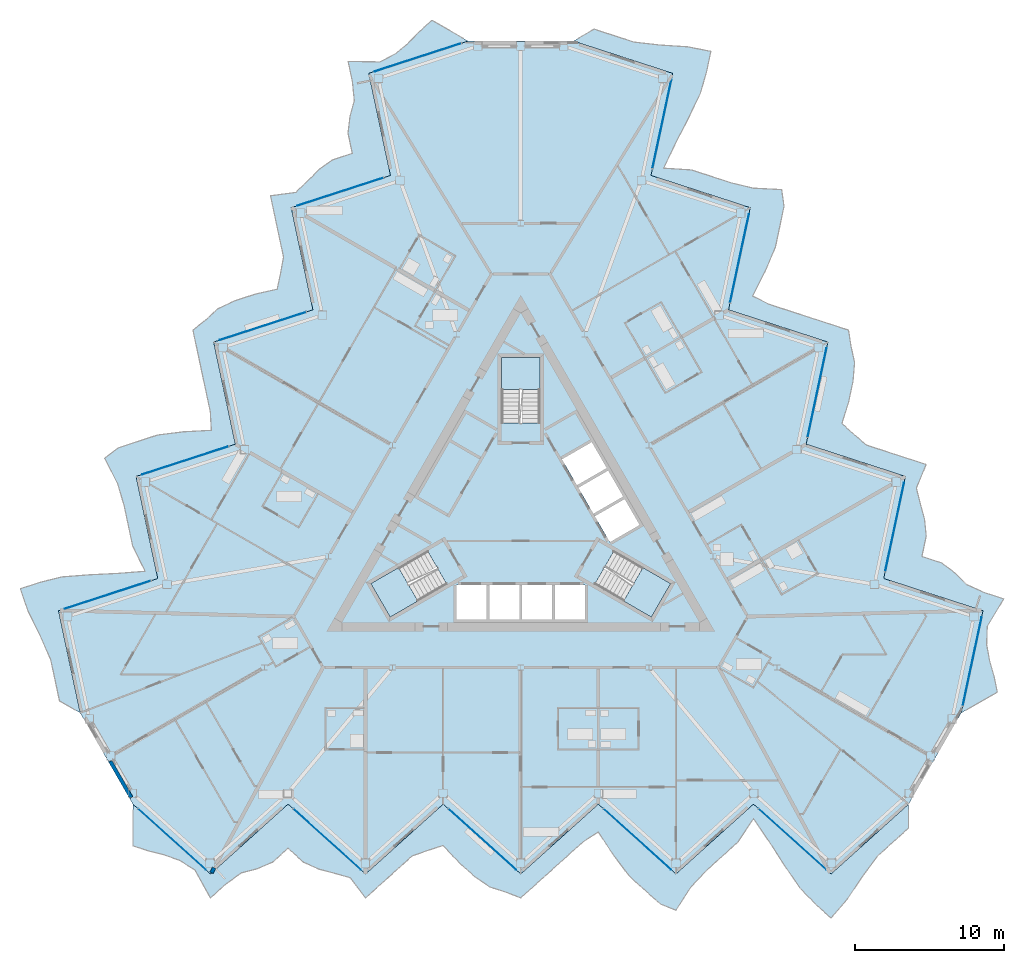
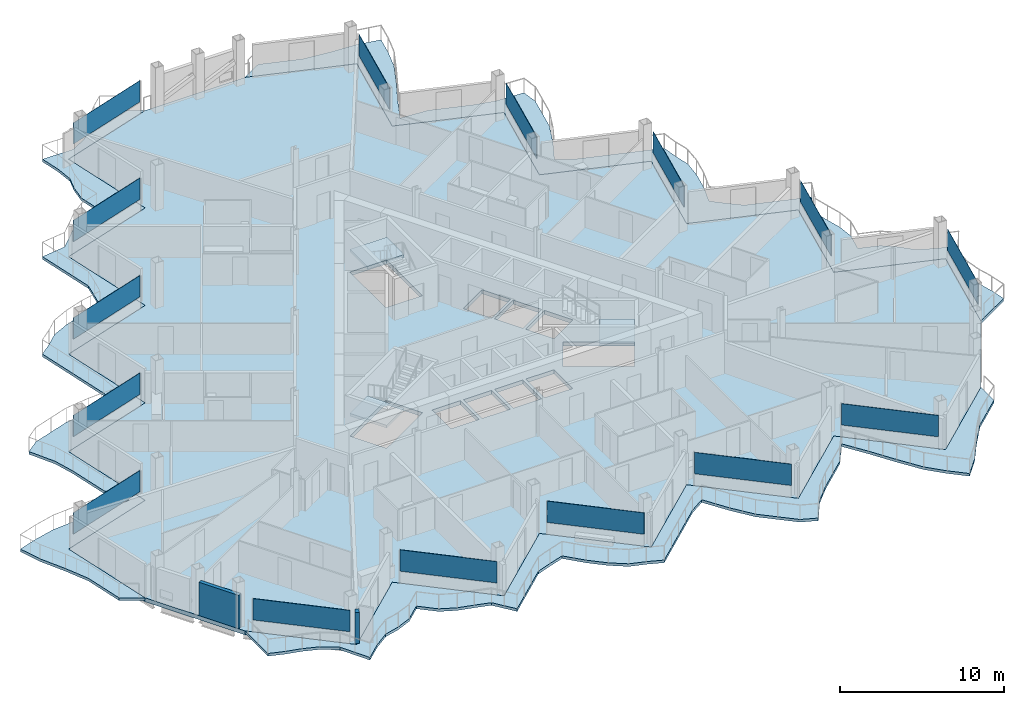
# One storey, part 12 of 28: 15 plates, 7 slabs, 2 walls, 18 elements without a shape of their own.
"""IFC4 building model written with IfcOpenShell, lengths in metres."""

from ifc_helpers import new_model, si_unit, direction, frame, frame_2d, origin, origin_2d, place, context, subcontext, project, spatial, polyline, rectangle, outline, extrude, material, layer, layer_set, type_object, element, aggregate, save


model = new_model("IFC4")

# Units and contexts
model_context = context("Model", 3, precision=1e-05, world=origin(), true_north=direction((0.0, 1.0)))
body_context = subcontext(model_context, "Body", "Model", "MODEL_VIEW")
ifc_project = project(units=[si_unit("LENGTHUNIT", "METRE"), si_unit("AREAUNIT", "SQUARE_METRE"), si_unit("VOLUMEUNIT", "CUBIC_METRE"), si_unit("PLANEANGLEUNIT", "RADIAN"), si_unit("MASSUNIT", "GRAM", prefix="KILO")], contexts=[model_context])

# Site, building, storey
site_placement = place(None, origin())
site = spatial("IfcSite", under=ifc_project, at=site_placement, CompositionType="ELEMENT")
building_placement = place(site_placement, origin())
building = spatial("IfcBuilding", under=site, at=building_placement, Name="Cormorant Prow Tower", CompositionType="ELEMENT")
storey_placement = place(building_placement, frame((0.0, 0.0, 305.199951171875)))
storey = spatial("IfcBuildingStorey", under=building, at=storey_placement, Name="L66", CompositionType="ELEMENT", Elevation=305.199951171875)

# Slabs
ifc_material_1 = material(Name="Concrete C40/50", Category="concrete")
ifc_layer_1 = layer(ifc_material_1, 0.199951171875)
ifc_layer_set_1 = layer_set([ifc_layer_1], Name="Concrete C40/50")
slab_type_1 = type_object("IfcSlabType", Name="Balcony slab 200", PredefinedType="FLOOR", material=ifc_layer_set_1)
slab_1_placement = place(storey_placement, frame((0.0, 0.0, -0.199951171875)))
element("IfcSlab", 1, at=slab_1_placement, inside=storey, type_object=slab_type_1, Name="Balcony slab S L66", PredefinedType="FLOOR", context=body_context, shape_type="SweptSolid", body=[
    extrude(outline(polyline([(-25.95458984375, -19.054931640625), (-25.95458984375, -21.8388671875), (-24.91650390625, -22.182861328125), (-23.87841796875, -22.441162109375), (-22.840087890625, -22.811767578125), (-21.802001953125, -23.46044921875), (-20.763671875, -25.328857421875), (-19.7255859375, -24.39404296875), (-18.6875, -23.651123046875), (-17.649169921875, -23.381591796875), (-16.611083984375, -22.939697265625), (-15.57275390625, -22.0048828125), (-14.53466796875, -22.939697265625), (-13.496337890625, -23.40771484375), (-12.458251953125, -23.68017578125), (-11.420166015625, -23.97607421875), (-10.3818359375, -25.328857421875), (-9.34375, -24.39404296875), (-8.305419921875, -23.459228515625), (-7.267333984375, -22.5244140625), (-6.229248046875, -22.154541015625), (-5.19091796875, -21.81787109375), (-4.15283203125, -22.939697265625), (-3.114501953125, -23.87451171875), (-2.076416015625, -24.596435546875), (-1.0380859375, -24.92431640625), (0.0, -25.328857421875), (1.0380859375, -24.39404296875), (2.076416015625, -23.459228515625), (3.114501953125, -22.5244140625), (4.15283203125, -21.58984375), (5.19091796875, -20.9111328125), (6.229248046875, -22.503662109375), (7.267333984375, -23.87451171875), (8.305419921875, -24.809326171875), (9.34375, -25.73388671875), (10.3818359375, -26.154052734375), (11.420166015625, -24.55078125), (12.458251953125, -23.459228515625), (13.496337890625, -22.5244140625), (14.53466796875, -21.58984375), (15.57275390625, -20.03076171875), (16.611083984375, -21.5400390625), (17.649169921875, -23.15185546875), (18.6875, -24.667724609375), (19.7255859375, -25.744140625), (20.763671875, -26.678955078125), (21.802001953125, -25.482177734375), (22.840087890625, -23.92578125), (23.87841796875, -22.5244140625), (24.91650390625, -21.58984375), (25.95458984375, -20.655029296875), (25.95458984375, -19.054931640625), (24.91650390625, -19.98974609375), (23.87841796875, -20.924560546875), (22.840087890625, -21.859375), (21.802001953125, -22.794189453125), (20.763671875, -23.72900390625), (19.7255859375, -22.794189453125), (18.6875, -21.859375), (17.649169921875, -20.924560546875), (16.611083984375, -19.98974609375), (15.57275390625, -19.054931640625), (14.53466796875, -19.98974609375), (13.496337890625, -20.924560546875), (12.458251953125, -21.859375), (11.420166015625, -22.794189453125), (10.3818359375, -23.72900390625), (9.34375, -22.794189453125), (8.305419921875, -21.859375), (7.267333984375, -20.924560546875), (6.229248046875, -19.98974609375), (5.19091796875, -19.054931640625), (4.15283203125, -19.98974609375), (3.114501953125, -20.924560546875), (2.076416015625, -21.859375), (1.0380859375, -22.794189453125), (0.0, -23.72900390625), (-1.0380859375, -22.794189453125), (-2.076416015625, -21.859375), (-3.114501953125, -20.924560546875), (-4.15283203125, -19.98974609375), (-5.19091796875, -19.054931640625), (-6.229248046875, -19.98974609375), (-7.267333984375, -20.924560546875), (-8.305419921875, -21.859375), (-9.34375, -22.794189453125), (-10.3818359375, -23.72900390625), (-11.420166015625, -22.794189453125), (-12.458251953125, -21.859375), (-13.496337890625, -20.924560546875), (-14.53466796875, -19.98974609375), (-15.57275390625, -19.054931640625), (-16.611083984375, -19.98974609375), (-17.649169921875, -20.924560546875), (-18.6875, -21.859375), (-19.7255859375, -22.794189453125), (-20.763671875, -23.72900390625), (-21.802001953125, -22.794189453125), (-22.840087890625, -21.859375), (-23.87841796875, -20.924560546875), (-24.91650390625, -19.98974609375), (-25.95458984375, -19.054931640625)])), origin(), (0.0, 0.0, 1.0), 0.199951171875),
])
slab_2_placement = place(storey_placement, frame((0.0, 0.0, -0.199951171875)))
element("IfcSlab", 2, at=slab_2_placement, inside=storey, type_object=slab_type_1, Name="Balcony slab ENE L66", PredefinedType="FLOOR", context=body_context, shape_type="SweptSolid", body=[
    extrude(outline(polyline([(29.4794921875, -12.949951171875), (31.890380859375, -11.55810546875), (31.669189453125, -10.48681640625), (31.373779296875, -9.458740234375), (31.175537109375, -8.374267578125), (31.21826171875, -7.15087890625), (32.3173828125, -5.3173828125), (30.98876953125, -4.8857421875), (29.826171875, -4.358154296875), (29.07373046875, -3.59375), (28.171875, -2.915771484375), (26.84326171875, -2.48388671875), (27.1337890625, -1.117431640625), (27.019775390625, 0.015625), (26.73681640625, 1.051025390625), (26.473876953125, 2.097900390625), (27.12646484375, 3.673583984375), (25.7978515625, 4.105224609375), (24.46923828125, 4.536865234375), (23.140380859375, 4.968505859375), (22.30078125, 5.6826171875), (21.490234375, 6.41357421875), (21.94287109375, 7.87353515625), (22.233154296875, 9.239990234375), (22.33935546875, 10.5), (22.10400390625, 11.56298828125), (21.935546875, 12.66455078125), (20.60693359375, 13.09619140625), (19.278076171875, 13.52783203125), (17.949462890625, 13.95947265625), (16.620849609375, 14.391357421875), (15.51416015625, 14.950927734375), (16.374267578125, 16.646484375), (17.042236328125, 18.23095703125), (17.332763671875, 19.597412109375), (17.6142578125, 20.958740234375), (17.459228515625, 22.068115234375), (15.551513671875, 22.16552734375), (14.087158203125, 22.518798828125), (12.758544921875, 22.950439453125), (11.429931640625, 23.38232421875), (9.560546875, 23.501708984375), (10.3486328125, 25.155517578125), (11.2255859375, 26.860595703125), (12.019287109375, 28.517578125), (12.432373046875, 29.954833984375), (12.72265625, 31.3212890625), (11.167236328125, 31.6220703125), (9.30029296875, 31.742919921875), (7.567626953125, 31.94140625), (6.239013671875, 32.373291015625), (4.910400390625, 32.804931640625), (3.524658203125, 32.0048828125), (4.853271484375, 31.5732421875), (6.18212890625, 31.1416015625), (7.5107421875, 30.709716796875), (8.83935546875, 30.278076171875), (10.16796875, 29.846435546875), (9.87744140625, 28.47998046875), (9.5869140625, 27.113525390625), (9.296630859375, 25.746826171875), (9.006103515625, 24.38037109375), (8.715576171875, 23.013916015625), (10.044189453125, 22.582275390625), (11.373046875, 22.150634765625), (12.70166015625, 21.71875), (14.0302734375, 21.287109375), (15.35888671875, 20.85546875), (15.068359375, 19.489013671875), (14.778076171875, 18.12255859375), (14.487548828125, 16.755859375), (14.197021484375, 15.389404296875), (13.906494140625, 14.02294921875), (15.2353515625, 13.59130859375), (16.56396484375, 13.15966796875), (17.892578125, 12.727783203125), (19.22119140625, 12.296142578125), (20.5498046875, 11.864501953125), (20.25927734375, 10.498046875), (19.968994140625, 9.13134765625), (19.678466796875, 7.764892578125), (19.387939453125, 6.3984375), (19.09765625, 5.031982421875), (20.42626953125, 4.600341796875), (21.7548828125, 4.168701171875), (23.08349609375, 3.73681640625), (24.412109375, 3.30517578125), (25.74072265625, 2.87353515625), (25.4501953125, 1.507080078125), (25.159912109375, 0.140380859375), (24.869384765625, -1.22607421875), (24.578857421875, -2.592529296875), (24.28857421875, -3.958984375), (25.6171875, -4.390625), (26.94580078125, -4.822509765625), (28.2744140625, -5.254150390625), (29.60302734375, -5.685791015625), (30.931640625, -6.117431640625), (30.641357421875, -7.48388671875), (30.350830078125, -8.8505859375), (30.060302734375, -10.217041015625), (29.769775390625, -11.58349609375), (29.4794921875, -12.949951171875)])), origin(), (0.0, 0.0, 1.0), 0.199951171875),
])
slab_3_placement = place(storey_placement, frame((0.0, 0.0, -0.199951171875)))
element("IfcSlab", 3, at=slab_3_placement, inside=storey, type_object=slab_type_1, Name="Balcony slab WNW L66", PredefinedType="FLOOR", context=body_context, shape_type="SweptSolid", body=[
    extrude(outline(polyline([(-3.524658203125, 32.0048828125), (-5.935546875, 33.39697265625), (-6.752685546875, 32.669921875), (-7.495361328125, 31.899658203125), (-8.33544921875, 31.18603515625), (-9.416259765625, 30.611328125), (-11.553466796875, 30.646484375), (-11.26318359375, 29.27978515625), (-11.138671875, 28.00927734375), (-11.42431640625, 26.975341796875), (-11.560791015625, 25.85546875), (-11.2705078125, 24.489013671875), (-12.59912109375, 24.05712890625), (-13.5234375, 23.39208984375), (-14.278564453125, 22.62939453125), (-15.0537109375, 21.878173828125), (-16.74462890625, 21.655517578125), (-16.4541015625, 20.288818359375), (-16.16357421875, 18.92236328125), (-15.873046875, 17.555908203125), (-16.07177734375, 16.471923828125), (-16.29931640625, 15.404541015625), (-17.7900390625, 15.066162109375), (-19.11865234375, 14.634521484375), (-20.262939453125, 14.096435546875), (-21.06591796875, 13.361328125), (-21.935546875, 12.66455078125), (-21.64501953125, 11.2978515625), (-21.3544921875, 9.931396484375), (-21.064208984375, 8.56494140625), (-20.773681640625, 7.198486328125), (-20.705078125, 5.9599609375), (-22.603515625, 5.857421875), (-24.3095703125, 5.6435546875), (-25.63818359375, 5.2119140625), (-26.9580078125, 4.775146484375), (-27.841064453125, 4.086181640625), (-26.9716796875, 2.38525390625), (-26.54541015625, 0.9404296875), (-26.255126953125, -0.426025390625), (-25.964599609375, -1.79248046875), (-25.133544921875, -3.47119140625), (-26.959716796875, -3.615478515625), (-28.874755859375, -3.708740234375), (-30.70654296875, -3.849853515625), (-32.157958984375, -4.210693359375), (-33.486572265625, -4.642578125), (-32.96923828125, -6.139892578125), (-32.140380859375, -7.8173828125), (-31.446044921875, -9.4169921875), (-31.155517578125, -10.783447265625), (-30.864990234375, -12.14990234375), (-29.4794921875, -12.949951171875), (-29.769775390625, -11.58349609375), (-30.060302734375, -10.217041015625), (-30.350830078125, -8.8505859375), (-30.641357421875, -7.48388671875), (-30.931640625, -6.117431640625), (-29.60302734375, -5.685791015625), (-28.2744140625, -5.254150390625), (-26.94580078125, -4.822509765625), (-25.6171875, -4.390625), (-24.28857421875, -3.958984375), (-24.578857421875, -2.592529296875), (-24.869384765625, -1.22607421875), (-25.159912109375, 0.140380859375), (-25.4501953125, 1.507080078125), (-25.74072265625, 2.87353515625), (-24.412109375, 3.30517578125), (-23.08349609375, 3.73681640625), (-21.7548828125, 4.168701171875), (-20.42626953125, 4.600341796875), (-19.09765625, 5.031982421875), (-19.387939453125, 6.3984375), (-19.678466796875, 7.764892578125), (-19.968994140625, 9.13134765625), (-20.25927734375, 10.498046875), (-20.5498046875, 11.864501953125), (-19.22119140625, 12.296142578125), (-17.892578125, 12.727783203125), (-16.56396484375, 13.15966796875), (-15.2353515625, 13.59130859375), (-13.906494140625, 14.02294921875), (-14.197021484375, 15.389404296875), (-14.487548828125, 16.755859375), (-14.778076171875, 18.12255859375), (-15.068359375, 19.489013671875), (-15.35888671875, 20.85546875), (-14.0302734375, 21.287109375), (-12.70166015625, 21.71875), (-11.373046875, 22.150634765625), (-10.044189453125, 22.582275390625), (-8.715576171875, 23.013916015625), (-9.006103515625, 24.38037109375), (-9.296630859375, 25.746826171875), (-9.5869140625, 27.113525390625), (-9.87744140625, 28.47998046875), (-10.16796875, 29.846435546875), (-8.83935546875, 30.278076171875), (-7.5107421875, 30.709716796875), (-6.18212890625, 31.1416015625), (-4.853271484375, 31.5732421875), (-3.524658203125, 32.0048828125)])), origin(), (0.0, 0.0, 1.0), 0.199951171875),
])
ifc_material_2 = material(Name="Concrete C40/50", Category="concrete")
ifc_layer_2 = layer(ifc_material_2, 0.300048828125)
ifc_layer_set_2 = layer_set([ifc_layer_2], Name="Concrete C40/50")
slab_type_2 = type_object("IfcSlabType", Name="Post-tensioned flat slab 300", PredefinedType="FLOOR", material=ifc_layer_set_2)
slab_4_placement = place(storey_placement, frame((0.0, 0.0, -0.300048828125)))
element("IfcSlab", 4, at=slab_4_placement, inside=storey, type_object=slab_type_2, Name="Floor slab L66", PredefinedType="FLOOR", context=body_context, shape_type="SweptSolid", body=[
    extrude(outline(polyline([(-8.715576171875, 23.013916015625), (-15.35888671875, 20.85546875), (-13.906494140625, 14.02294921875), (-20.5498046875, 11.864501953125), (-19.09765625, 5.031982421875), (-25.74072265625, 2.87353515625), (-24.28857421875, -3.958984375), (-30.931640625, -6.117431640625), (-29.4794921875, -12.949951171875), (-27.717041015625, -16.00244140625), (-25.95458984375, -19.054931640625), (-20.763671875, -23.72900390625), (-15.57275390625, -19.054931640625), (-10.3818359375, -23.72900390625), (-5.19091796875, -19.054931640625), (0.0, -23.72900390625), (5.19091796875, -19.054931640625), (10.3818359375, -23.72900390625), (15.57275390625, -19.054931640625), (20.763671875, -23.72900390625), (25.95458984375, -19.054931640625), (27.717041015625, -16.00244140625), (29.4794921875, -12.949951171875), (30.931640625, -6.117431640625), (24.28857421875, -3.958984375), (25.74072265625, 2.87353515625), (19.09765625, 5.031982421875), (20.5498046875, 11.864501953125), (13.906494140625, 14.02294921875), (15.35888671875, 20.85546875), (8.715576171875, 23.013916015625), (10.16796875, 29.846435546875), (3.524658203125, 32.0048828125), (0.0, 32.0048828125), (-3.524658203125, 32.0048828125), (-10.16796875, 29.846435546875), (-8.715576171875, 23.013916015625)]), holes=[polyline([(-4.300048828125, -4.39990234375), (-2.300048828125, -4.39990234375), (-2.300048828125, -6.699951171875), (-4.300048828125, -6.699951171875), (-4.300048828125, -4.39990234375)]), polyline([(-0.10009765625, -4.39990234375), (-0.10009765625, -6.699951171875), (-2.10009765625, -6.699951171875), (-2.10009765625, -4.39990234375), (-0.10009765625, -4.39990234375)]), polyline([(2.10009765625, -6.699951171875), (0.10009765625, -6.699951171875), (0.10009765625, -4.39990234375), (2.10009765625, -4.39990234375), (2.10009765625, -6.699951171875)]), polyline([(2.300048828125, -6.699951171875), (2.300048828125, -4.39990234375), (4.300048828125, -4.39990234375), (4.300048828125, -6.699951171875), (2.300048828125, -6.699951171875)]), polyline([(5.96044921875, -1.52392578125), (4.96044921875, 0.2080078125), (6.952392578125, 1.358154296875), (7.952392578125, -0.373779296875), (5.96044921875, -1.52392578125)]), polyline([(3.860595703125, 2.11328125), (5.852294921875, 3.263427734375), (6.852294921875, 1.53125), (4.860595703125, 0.38134765625), (3.860595703125, 2.11328125)]), polyline([(4.75244140625, 5.168701171875), (5.75244140625, 3.4365234375), (3.760498046875, 2.28662109375), (2.760498046875, 4.018798828125), (4.75244140625, 5.168701171875)]), polyline([(-4.947509765625, -4.3505859375), (-8.738037109375, -6.5390625), (-10.031982421875, -4.2978515625), (-6.241455078125, -2.109375), (-4.947509765625, -4.3505859375)]), polyline([(10.031982421875, -4.2978515625), (8.738037109375, -6.5390625), (4.947509765625, -4.3505859375), (6.241455078125, -2.109375), (10.031982421875, -4.2978515625)]), polyline([(1.2939453125, 10.8369140625), (1.2939453125, 6.459716796875), (-1.2939453125, 6.459716796875), (-1.2939453125, 10.8369140625), (1.2939453125, 10.8369140625)])]), origin(), (0.0, 0.0, 1.0), 0.300048828125),
])

# Curtain wall, plate
ifc_material_3 = material(Name="Aluminium 6063-T6", Category="aluminium")
ifc_layer_3 = layer(ifc_material_3, 0.159912109375)
ifc_layer_set_3 = layer_set([ifc_layer_3], Name="Aluminium 6063-T6")
curtain_wall_type = type_object("IfcCurtainWallType", Name="Residential unitised curtain wall 160", PredefinedType="NOTDEFINED", material=ifc_layer_set_3)
curtain_wall_1_placement = place(storey_placement, origin())
curtain_wall_1 = element("IfcCurtainWall", 5, at=curtain_wall_1_placement, inside=storey, type_object=curtain_wall_type, Name="Residential curtain wall S00", PredefinedType="NOTDEFINED")
ifc_material_4 = material(Name="Clear glass", Category="glass")
ifc_layer_4 = layer(ifc_material_4, 0.02392578125)
ifc_layer_set_4 = layer_set([ifc_layer_4], Name="Clear glass")
plate_type = type_object("IfcPlateType", Name="Residential glass panel 24", PredefinedType="CURTAIN_PANEL", material=ifc_layer_set_4)
plate_1_placement = place(storey_placement, frame((-23.340576171875, -21.40869140625, 0.900146484375), z_axis=(0.0, 0.0, 1.0), x_axis=(0.743144844712, -0.669130584997, 0.0)))
plate_1 = element("IfcPlate", 6, at=plate_1_placement, type_object=plate_type, Name="Residential glass panel S00", PredefinedType="CURTAIN_PANEL", context=body_context, shape_type="SweptSolid", body=[
    extrude(rectangle(XDim=6.067138671875, YDim=0.02392578125, at=origin_2d()), origin(), (0.0, 0.0, 1.0), 1.587890625),
])
aggregate(curtain_wall_1, [plate_1])

curtain_wall_2_placement = place(storey_placement, origin())
curtain_wall_2 = element("IfcCurtainWall", 7, at=curtain_wall_2_placement, inside=storey, type_object=curtain_wall_type, Name="Residential curtain wall S02", PredefinedType="NOTDEFINED")
plate_2_placement = place(storey_placement, frame((-12.958740234375, -21.40869140625, 0.900146484375), z_axis=(0.0, 0.0, 1.0), x_axis=(0.743144844712, -0.669130584997, 0.0)))
plate_2 = element("IfcPlate", 8, at=plate_2_placement, type_object=plate_type, Name="Residential glass panel S02", PredefinedType="CURTAIN_PANEL", context=body_context, shape_type="SweptSolid", body=[
    extrude(rectangle(XDim=6.067138671875, YDim=0.02392578125, at=origin_2d()), origin(), (0.0, 0.0, 1.0), 1.587890625),
])
aggregate(curtain_wall_2, [plate_2])

curtain_wall_3_placement = place(storey_placement, origin())
curtain_wall_3 = element("IfcCurtainWall", 9, at=curtain_wall_3_placement, inside=storey, type_object=curtain_wall_type, Name="Residential curtain wall S04", PredefinedType="NOTDEFINED")
plate_3_placement = place(storey_placement, frame((-2.576904296875, -21.40869140625, 0.900146484375), z_axis=(0.0, 0.0, 1.0), x_axis=(0.743144844712, -0.669130584997, 0.0)))
plate_3 = element("IfcPlate", 10, at=plate_3_placement, type_object=plate_type, Name="Residential glass panel S04", PredefinedType="CURTAIN_PANEL", context=body_context, shape_type="SweptSolid", body=[
    extrude(rectangle(XDim=6.067138671875, YDim=0.02392578125, at=origin_2d()), origin(), (0.0, 0.0, 1.0), 1.587890625),
])
aggregate(curtain_wall_3, [plate_3])

curtain_wall_4_placement = place(storey_placement, origin())
curtain_wall_4 = element("IfcCurtainWall", 11, at=curtain_wall_4_placement, inside=storey, type_object=curtain_wall_type, Name="Residential curtain wall S06", PredefinedType="NOTDEFINED")
plate_4_placement = place(storey_placement, frame((7.804931640625, -21.40869140625, 0.900146484375), z_axis=(0.0, 0.0, 1.0), x_axis=(0.743144844712, -0.669130584997, 0.0)))
plate_4 = element("IfcPlate", 12, at=plate_4_placement, type_object=plate_type, Name="Residential glass panel S06", PredefinedType="CURTAIN_PANEL", context=body_context, shape_type="SweptSolid", body=[
    extrude(rectangle(XDim=6.067138671875, YDim=0.02392578125, at=origin_2d()), origin(), (0.0, 0.0, 1.0), 1.587890625),
])
aggregate(curtain_wall_4, [plate_4])

curtain_wall_5_placement = place(storey_placement, origin())
curtain_wall_5 = element("IfcCurtainWall", 13, at=curtain_wall_5_placement, inside=storey, type_object=curtain_wall_type, Name="Residential curtain wall S08", PredefinedType="NOTDEFINED")
plate_5_placement = place(storey_placement, frame((18.186767578125, -21.40869140625, 0.900146484375), z_axis=(0.0, 0.0, 1.0), x_axis=(0.743144844712, -0.669130584997, 0.0)))
plate_5 = element("IfcPlate", 14, at=plate_5_placement, type_object=plate_type, Name="Residential glass panel S08", PredefinedType="CURTAIN_PANEL", context=body_context, shape_type="SweptSolid", body=[
    extrude(rectangle(XDim=6.067138671875, YDim=0.02392578125, at=origin_2d()), origin(), (0.0, 0.0, 1.0), 1.587890625),
])
aggregate(curtain_wall_5, [plate_5])

curtain_wall_6_placement = place(storey_placement, origin())
curtain_wall_6 = element("IfcCurtainWall", 15, at=curtain_wall_6_placement, inside=storey, type_object=curtain_wall_type, Name="Residential curtain wall ENE00", PredefinedType="NOTDEFINED")
plate_6_placement = place(storey_placement, frame((30.210693359375, -9.50927734375, 0.900146484375), z_axis=(0.0, 0.0, 1.0), x_axis=(0.207911828776, 0.97814757141, 0.0)))
plate_6 = element("IfcPlate", 16, at=plate_6_placement, type_object=plate_type, Name="Residential glass panel ENE00", PredefinedType="CURTAIN_PANEL", context=body_context, shape_type="SweptSolid", body=[
    extrude(rectangle(XDim=6.067138671875, YDim=0.02392578125, at=origin_2d()), origin(), (0.0, 0.0, 1.0), 1.587890625),
])
aggregate(curtain_wall_6, [plate_6])

curtain_wall_7_placement = place(storey_placement, origin())
curtain_wall_7 = element("IfcCurtainWall", 17, at=curtain_wall_7_placement, inside=storey, type_object=curtain_wall_type, Name="Residential curtain wall ENE02", PredefinedType="NOTDEFINED")
plate_7_placement = place(storey_placement, frame((25.019775390625, -0.518310546875, 0.900146484375), z_axis=(0.0, 0.0, 1.0), x_axis=(0.207911691808, 0.978147600523, 0.0)))
plate_7 = element("IfcPlate", 18, at=plate_7_placement, type_object=plate_type, Name="Residential glass panel ENE02", PredefinedType="CURTAIN_PANEL", context=body_context, shape_type="SweptSolid", body=[
    extrude(rectangle(XDim=6.067138671875, YDim=0.02392578125, at=origin_2d()), origin(), (0.0, 0.0, 1.0), 1.587890625),
])
aggregate(curtain_wall_7, [plate_7])

curtain_wall_8_placement = place(storey_placement, origin())
curtain_wall_8 = element("IfcCurtainWall", 19, at=curtain_wall_8_placement, inside=storey, type_object=curtain_wall_type, Name="Residential curtain wall ENE04", PredefinedType="NOTDEFINED")
plate_8_placement = place(storey_placement, frame((19.828857421875, 8.47265625, 0.900146484375), z_axis=(0.0, 0.0, 1.0), x_axis=(0.207911691808, 0.978147600523, 0.0)))
plate_8 = element("IfcPlate", 20, at=plate_8_placement, type_object=plate_type, Name="Residential glass panel ENE04", PredefinedType="CURTAIN_PANEL", context=body_context, shape_type="SweptSolid", body=[
    extrude(rectangle(XDim=6.067138671875, YDim=0.02392578125, at=origin_2d()), origin(), (0.0, 0.0, 1.0), 1.587890625),
])
aggregate(curtain_wall_8, [plate_8])

curtain_wall_9_placement = place(storey_placement, origin())
curtain_wall_9 = element("IfcCurtainWall", 21, at=curtain_wall_9_placement, inside=storey, type_object=curtain_wall_type, Name="Residential curtain wall ENE06", PredefinedType="NOTDEFINED")
plate_9_placement = place(storey_placement, frame((14.637939453125, 17.463623046875, 0.900146484375), z_axis=(0.0, 0.0, 1.0), x_axis=(0.207911691808, 0.978147600523, 0.0)))
plate_9 = element("IfcPlate", 22, at=plate_9_placement, type_object=plate_type, Name="Residential glass panel ENE06", PredefinedType="CURTAIN_PANEL", context=body_context, shape_type="SweptSolid", body=[
    extrude(rectangle(XDim=6.067138671875, YDim=0.02392578125, at=origin_2d()), origin(), (0.0, 0.0, 1.0), 1.587890625),
])
aggregate(curtain_wall_9, [plate_9])

curtain_wall_10_placement = place(storey_placement, origin())
curtain_wall_10 = element("IfcCurtainWall", 23, at=curtain_wall_10_placement, inside=storey, type_object=curtain_wall_type, Name="Residential curtain wall ENE08", PredefinedType="NOTDEFINED")
plate_10_placement = place(storey_placement, frame((9.447021484375, 26.45458984375, 0.900146484375), z_axis=(0.0, 0.0, 1.0), x_axis=(0.207911662683, 0.978147606714, 0.0)))
plate_10 = element("IfcPlate", 24, at=plate_10_placement, type_object=plate_type, Name="Residential glass panel ENE08", PredefinedType="CURTAIN_PANEL", context=body_context, shape_type="SweptSolid", body=[
    extrude(rectangle(XDim=6.067138671875, YDim=0.02392578125, at=origin_2d()), origin(), (0.0, 0.0, 1.0), 1.587890625),
])
aggregate(curtain_wall_10, [plate_10])

curtain_wall_11_placement = place(storey_placement, origin())
curtain_wall_11 = element("IfcCurtainWall", 25, at=curtain_wall_11_placement, inside=storey, type_object=curtain_wall_type, Name="Residential curtain wall WNW00", PredefinedType="NOTDEFINED")
plate_11_placement = place(storey_placement, frame((-6.8701171875, 30.91796875, 0.900146484375), z_axis=(0.0, 0.0, 1.0), x_axis=(-0.951056543602, -0.309016910334, 0.0)))
plate_11 = element("IfcPlate", 26, at=plate_11_placement, type_object=plate_type, Name="Residential glass panel WNW00", PredefinedType="CURTAIN_PANEL", context=body_context, shape_type="SweptSolid", body=[
    extrude(rectangle(XDim=6.067138671875, YDim=0.02392578125, at=origin_2d()), origin(), (0.0, 0.0, 1.0), 1.587890625),
])
aggregate(curtain_wall_11, [plate_11])

curtain_wall_12_placement = place(storey_placement, origin())
curtain_wall_12 = element("IfcCurtainWall", 27, at=curtain_wall_12_placement, inside=storey, type_object=curtain_wall_type, Name="Residential curtain wall WNW02", PredefinedType="NOTDEFINED")
plate_12_placement = place(storey_placement, frame((-12.06103515625, 21.927001953125, 0.900146484375), z_axis=(0.0, 0.0, 1.0), x_axis=(-0.951056543602, -0.309016910334, 0.0)))
plate_12 = element("IfcPlate", 28, at=plate_12_placement, type_object=plate_type, Name="Residential glass panel WNW02", PredefinedType="CURTAIN_PANEL", context=body_context, shape_type="SweptSolid", body=[
    extrude(rectangle(XDim=6.067138671875, YDim=0.02392578125, at=origin_2d()), origin(), (0.0, 0.0, 1.0), 1.587890625),
])
aggregate(curtain_wall_12, [plate_12])

curtain_wall_13_placement = place(storey_placement, origin())
curtain_wall_13 = element("IfcCurtainWall", 29, at=curtain_wall_13_placement, inside=storey, type_object=curtain_wall_type, Name="Residential curtain wall WNW04", PredefinedType="NOTDEFINED")
plate_13_placement = place(storey_placement, frame((-17.251953125, 12.93603515625, 0.900146484375), z_axis=(0.0, 0.0, 1.0), x_axis=(-0.951056501528, -0.309017039823, 0.0)))
plate_13 = element("IfcPlate", 30, at=plate_13_placement, type_object=plate_type, Name="Residential glass panel WNW04", PredefinedType="CURTAIN_PANEL", context=body_context, shape_type="SweptSolid", body=[
    extrude(rectangle(XDim=6.067138671875, YDim=0.02392578125, at=origin_2d()), origin(), (0.0, 0.0, 1.0), 1.587890625),
])
aggregate(curtain_wall_13, [plate_13])

curtain_wall_14_placement = place(storey_placement, origin())
curtain_wall_14 = element("IfcCurtainWall", 31, at=curtain_wall_14_placement, inside=storey, type_object=curtain_wall_type, Name="Residential curtain wall WNW06", PredefinedType="NOTDEFINED")
plate_14_placement = place(storey_placement, frame((-22.44287109375, 3.945068359375, 0.900146484375), z_axis=(0.0, 0.0, 1.0), x_axis=(-0.951056501528, -0.309017039823, 0.0)))
plate_14 = element("IfcPlate", 32, at=plate_14_placement, type_object=plate_type, Name="Residential glass panel WNW06", PredefinedType="CURTAIN_PANEL", context=body_context, shape_type="SweptSolid", body=[
    extrude(rectangle(XDim=6.067138671875, YDim=0.02392578125, at=origin_2d()), origin(), (0.0, 0.0, 1.0), 1.587890625),
])
aggregate(curtain_wall_14, [plate_14])

curtain_wall_15_placement = place(storey_placement, origin())
curtain_wall_15 = element("IfcCurtainWall", 33, at=curtain_wall_15_placement, inside=storey, type_object=curtain_wall_type, Name="Residential curtain wall WNW08", PredefinedType="NOTDEFINED")
plate_15_placement = place(storey_placement, frame((-27.6337890625, -5.0458984375, 0.900146484375), z_axis=(0.0, 0.0, 1.0), x_axis=(-0.951056557274, -0.309016868255, 0.0)))
plate_15 = element("IfcPlate", 34, at=plate_15_placement, type_object=plate_type, Name="Residential glass panel WNW08", PredefinedType="CURTAIN_PANEL", context=body_context, shape_type="SweptSolid", body=[
    extrude(rectangle(XDim=6.067138671875, YDim=0.02392578125, at=origin_2d()), origin(), (0.0, 0.0, 1.0), 1.587890625),
])
aggregate(curtain_wall_15, [plate_15])

# Stair, slab
ifc_material_5 = material(Name="Exit stair 18 risers")
stair_type = type_object("IfcStairType", Name="Exit stair 18 risers", PredefinedType="HALF_TURN_STAIR", material=ifc_material_5)
stair_1_placement = place(storey_placement, origin())
stair_1 = element("IfcStair", 35, at=stair_1_placement, inside=storey, type_object=stair_type, Name="L66 Exit stair ST1", PredefinedType="HALF_TURN_STAIR")
ifc_material_6 = material(Name="Concrete 5000 psi", Category="concrete")
ifc_layer_5 = layer(ifc_material_6, 0.199951171875)
ifc_layer_set_5 = layer_set([ifc_layer_5], Name="Concrete 5000 psi")
slab_type_3 = type_object("IfcSlabType", Name="Stair landing 200", PredefinedType="LANDING", material=ifc_layer_set_5)
slab_5_placement = place(storey_placement, frame((0.0, 0.0, 1.5)))
slab_5 = element("IfcSlab", 36, at=slab_5_placement, type_object=slab_type_3, Name="ST1 landing 1", PredefinedType="LANDING", context=body_context, shape_type="SweptSolid", body=[
    extrude(outline(polyline([(-8.17431640625, -3.225341796875), (-10.031982421875, -4.2978515625), (-8.738037109375, -6.5390625), (-6.88037109375, -5.466552734375), (-8.17431640625, -3.225341796875)])), origin(), (0.0, 0.0, 1.0), 0.199951171875),
])
aggregate(stair_1, [slab_5])

stair_2_placement = place(storey_placement, origin())
stair_2 = element("IfcStair", 37, at=stair_2_placement, inside=storey, type_object=stair_type, Name="L66 Exit stair ST2", PredefinedType="HALF_TURN_STAIR")
slab_6_placement = place(storey_placement, frame((0.0, 0.0, 1.5)))
slab_6 = element("IfcSlab", 38, at=slab_6_placement, type_object=slab_type_3, Name="ST2 landing 1", PredefinedType="LANDING", context=body_context, shape_type="SweptSolid", body=[
    extrude(outline(polyline([(6.88037109375, -5.466552734375), (8.738037109375, -6.5390625), (10.031982421875, -4.2978515625), (8.17431640625, -3.225341796875), (6.88037109375, -5.466552734375)])), origin(), (0.0, 0.0, 1.0), 0.199951171875),
])
aggregate(stair_2, [slab_6])

stair_3_placement = place(storey_placement, origin())
stair_3 = element("IfcStair", 39, at=stair_3_placement, inside=storey, type_object=stair_type, Name="L66 Exit stair ST3", PredefinedType="HALF_TURN_STAIR")
slab_7_placement = place(storey_placement, frame((0.0, 0.0, 1.5)))
slab_7 = element("IfcSlab", 40, at=slab_7_placement, type_object=slab_type_3, Name="ST3 landing 1", PredefinedType="LANDING", context=body_context, shape_type="SweptSolid", body=[
    extrude(outline(polyline([(1.2939453125, 8.69189453125), (1.2939453125, 10.8369140625), (-1.2939453125, 10.8369140625), (-1.2939453125, 8.69189453125), (1.2939453125, 8.69189453125)])), origin(), (0.0, 0.0, 1.0), 0.199951171875),
])
aggregate(stair_3, [slab_7])

# Walls
ifc_material_7 = material(Name="Acoustic gypsum party wall")
ifc_layer_6 = layer(ifc_material_7, 0.25)
ifc_layer_set_6 = layer_set([ifc_layer_6], Name="Acoustic gypsum party wall")
wall_type_1 = type_object("IfcWallType", Name="Suite party wall 250", PredefinedType="PARTITIONING", material=ifc_layer_set_6)
wall_1_placement = place(storey_placement, frame((-20.693115234375, -23.648681640625, 0.0), z_axis=(0.0, 0.0, 1.0), x_axis=(0.477077538769, 0.878861207474, 0.0)))
element("IfcWall", 41, at=wall_1_placement, inside=storey, type_object=wall_type_1, Name="Suite party wall", PredefinedType="PARTITIONING", context=body_context, shape_type="SweptSolid", body=[
    extrude(rectangle(XDim=0.376220703125, YDim=0.25, at=frame_2d((0.18798828125, 0.0))), origin(), (0.0, 0.0, 1.0), 2.330078125),
])
ifc_material_8 = material(Name="Terracotta", Category="masonry")
ifc_layer_7 = layer(ifc_material_8, 0.25)
ifc_layer_set_7 = layer_set([ifc_layer_7], Name="Terracotta")
wall_type_2 = type_object("IfcWallType", Name="Terracotta bay wall 250", PredefinedType="SOLIDWALL", material=ifc_layer_set_7)
wall_2_placement = place(storey_placement, frame((-27.465576171875, -16.18798828125, 0.0), z_axis=(0.0, 0.0, 1.0), x_axis=(0.499968627931, -0.866043515699, 0.0)))
element("IfcWall", 42, at=wall_2_placement, inside=storey, type_object=wall_type_2, Name="Terracotta bay wall WSW01", PredefinedType="SOLIDWALL", context=body_context, shape_type="SweptSolid", body=[
    extrude(rectangle(XDim=2.804443359375, YDim=0.25, at=frame_2d((1.40234375, 0.0))), origin(), (0.0, 0.0, 1.0), 2.488037109375),
])

save(model, "model.ifc")
